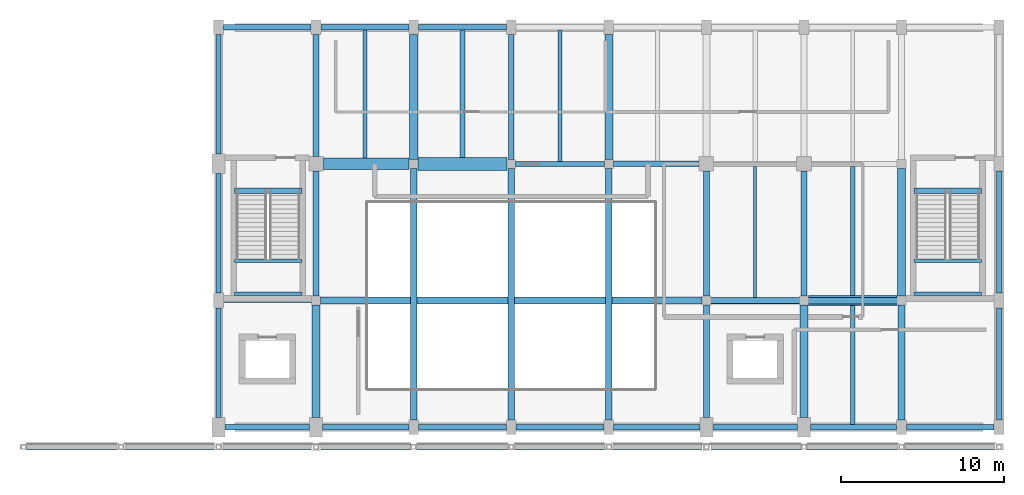
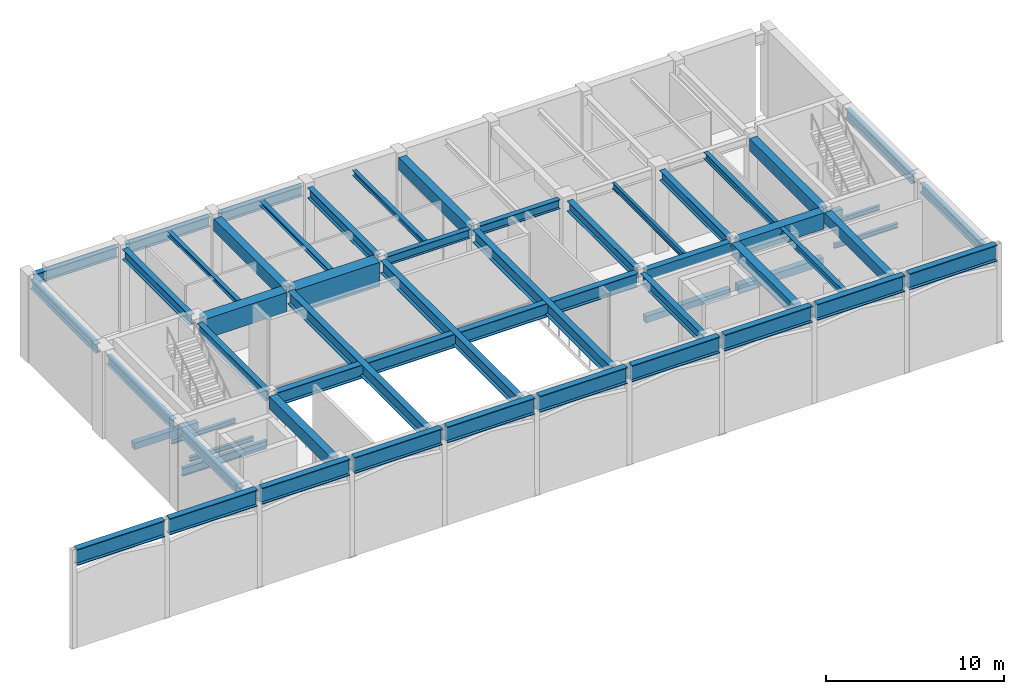
# One storey, part 3 of 8: 63 beams.
"""IFC4 building model written with IfcOpenShell, lengths in metres."""

from ifc_helpers import new_model, si_unit, direction, frame, origin, origin_2d, place, context, subcontext, project, spatial, rectangle, i_section, extrude, material, material_profile, profile_set, type_object, element, save


model = new_model("IFC4")

# Units and contexts
model_context = context("Model", 3, precision=1e-05, world=origin(), true_north=direction((0.0, 1.0)))
body_context = subcontext(model_context, "Body", "Model", "MODEL_VIEW")
ifc_project = project(units=[si_unit("LENGTHUNIT", "METRE"), si_unit("AREAUNIT", "SQUARE_METRE"), si_unit("VOLUMEUNIT", "CUBIC_METRE"), si_unit("PLANEANGLEUNIT", "RADIAN"), si_unit("MASSUNIT", "GRAM", prefix="KILO")], contexts=[model_context])

# Site, building, storey
site_placement = place(None, origin())
site = spatial("IfcSite", under=ifc_project, at=site_placement, CompositionType="ELEMENT")
building_placement = place(site_placement, origin())
building = spatial("IfcBuilding", under=site, at=building_placement, Name="Vaelkrest Opera House", CompositionType="ELEMENT")
storey_placement = place(building_placement, frame((0.0, 0.0, 30.0)))
storey = spatial("IfcBuildingStorey", under=building, at=storey_placement, Name="L06", CompositionType="ELEMENT", Elevation=30.0)

# Beams
ifc_material_1 = material(Name="Concrete C50/60", Category="concrete")
ifc_material_profile_1 = material_profile(ifc_material_1, rectangle(XDim=0.39990234375, YDim=0.64990234375, at=origin_2d()), Name="RCB400X650")
ifc_profile_set_1 = profile_set([ifc_material_profile_1], Name="Concrete C50/60")
beam_type_1 = type_object("IfcBeamType", Name="B01", PredefinedType="BEAM", material=ifc_profile_set_1)
beam_1_placement = place(storey_placement, frame((12.27490234375, 25.199951171875, 5.3798828125), z_axis=(1.0, 0.0, 0.0), x_axis=(0.0, 1.0, 0.0)))
element("IfcBeam", 1, at=beam_1_placement, inside=storey, type_object=beam_type_1, Name="Beam BM-V2-L06-1213", PredefinedType="BEAM", context=body_context, shape_type="SweptSolid", body=[
    extrude(rectangle(XDim=0.39990234375, YDim=0.64990234375, at=origin_2d()), origin(), (0.0, 0.0, 1.0), 5.4501953125),
])
ifc_material_profile_2 = material_profile(ifc_material_1, rectangle(XDim=0.449951171875, YDim=0.75, at=origin_2d()), Name="RCB450X750")
ifc_profile_set_2 = profile_set([ifc_material_profile_2], Name="Concrete C50/60")
beam_type_2 = type_object("IfcBeamType", Name="B02", PredefinedType="BEAM", material=ifc_profile_set_2)
beam_2_placement = place(storey_placement, frame((24.0, 17.85009765625, 5.330078125), z_axis=(0.0, 1.0, 0.0), x_axis=(-1.0, 0.0, 0.0)))
element("IfcBeam", 2, at=beam_2_placement, inside=storey, type_object=beam_type_2, Name="Beam BM-V2-L06-1247", PredefinedType="BEAM", context=body_context, shape_type="SweptSolid", body=[
    extrude(rectangle(XDim=0.449951171875, YDim=0.75, at=origin_2d()), origin(), (0.0, 0.0, 1.0), 7.074951171875),
])
ifc_material_profile_3 = material_profile(ifc_material_1, rectangle(XDim=0.5, YDim=0.85009765625, at=origin_2d()), Name="RCB500X850")
ifc_profile_set_3 = profile_set([ifc_material_profile_3], Name="Concrete C50/60")
beam_type_3 = type_object("IfcBeamType", Name="B03", PredefinedType="BEAM", material=ifc_profile_set_3)
beam_3_placement = place(storey_placement, frame((-12.0, 18.0, 5.280029296875), z_axis=(0.0, 1.0, 0.0), x_axis=(-1.0, 0.0, 0.0)))
element("IfcBeam", 3, at=beam_3_placement, inside=storey, type_object=beam_type_3, Name="Beam BM-V2-L06-1232", PredefinedType="BEAM", context=body_context, shape_type="SweptSolid", body=[
    extrude(rectangle(XDim=0.5, YDim=0.85009765625, at=origin_2d()), origin(), (0.0, 0.0, 1.0), 6.925048828125),
])
for number, where, z_axis, x_axis, name in (
    (4, (-6.0, 33.875, 5.280029296875), (0.0, 1.0, 0.0), (-1.0, 0.0, 0.0), "Beam BM-V2-L06-1236"),
    (5, (6.0, 33.875, 5.280029296875), (0.0, 1.0, 0.0), (-1.0, 0.0, 0.0), "Beam BM-V2-L06-1240"),
):
    element("IfcBeam", number, at=place(storey_placement, frame(where, z_axis=z_axis, x_axis=x_axis)), inside=storey, type_object=beam_type_3, Name=name, PredefinedType="BEAM", context=body_context, shape_type="SweptSolid", body=[
        extrude(rectangle(XDim=0.5, YDim=0.85009765625, at=origin_2d()), origin(), (0.0, 0.0, 1.0), 7.675048828125),
    ])
beam_4_placement = place(storey_placement, frame((18.0, 18.0, 5.280029296875), z_axis=(0.0, 1.0, 0.0), x_axis=(-1.0, 0.0, 0.0)))
element("IfcBeam", 6, at=beam_4_placement, inside=storey, type_object=beam_type_3, Name="Beam BM-V2-L06-1244", PredefinedType="BEAM", context=body_context, shape_type="SweptSolid", body=[
    extrude(rectangle(XDim=0.5, YDim=0.85009765625, at=origin_2d()), origin(), (0.0, 0.0, 1.0), 6.925048828125),
])
beam_5_placement = place(storey_placement, frame((24.0, 25.47509765625, 5.280029296875), z_axis=(0.0, 1.0, 0.0), x_axis=(-1.0, 0.0, 0.0)))
element("IfcBeam", 7, at=beam_5_placement, inside=storey, type_object=beam_type_3, Name="Beam BM-V2-L06-1248", PredefinedType="BEAM", context=body_context, shape_type="SweptSolid", body=[
    extrude(rectangle(XDim=0.5, YDim=0.85009765625, at=origin_2d()), origin(), (0.0, 0.0, 1.0), 7.849853515625),
])
ifc_material_profile_4 = material_profile(ifc_material_1, rectangle(XDim=0.60009765625, YDim=1.10009765625, at=origin_2d()), Name="RCB600X1100")
ifc_profile_set_4 = profile_set([ifc_material_profile_4], Name="Concrete C50/60")
beam_type_4 = type_object("IfcBeamType", Name="B05", PredefinedType="BEAM", material=ifc_profile_set_4)
beam_6_placement = place(storey_placement, frame((18.27490234375, 25.199951171875, 5.155029296875), z_axis=(1.0, 0.0, 0.0), x_axis=(0.0, 1.0, 0.0)))
element("IfcBeam", 8, at=beam_6_placement, inside=storey, type_object=beam_type_4, Name="Beam BM-V2-L06-1214", PredefinedType="BEAM", context=body_context, shape_type="SweptSolid", body=[
    extrude(rectangle(XDim=0.60009765625, YDim=1.10009765625, at=origin_2d()), origin(), (0.0, 0.0, 1.0), 5.4501953125),
])
ifc_material_profile_5 = material_profile(ifc_material_1, rectangle(XDim=0.699951171875, YDim=1.35009765625, at=origin_2d()), Name="RCB700X1350")
ifc_profile_set_5 = profile_set([ifc_material_profile_5], Name="Concrete C50/60")
beam_type_5 = type_object("IfcBeamType", Name="B06", PredefinedType="BEAM", material=ifc_profile_set_5)
beam_7_placement = place(storey_placement, frame((-11.550048828125, 33.60009765625, 5.030029296875), z_axis=(1.0, 0.0, 0.0), x_axis=(0.0, 1.0, 0.0)))
element("IfcBeam", 9, at=beam_7_placement, inside=storey, type_object=beam_type_5, Name="Beam BM-V2-L06-1215", PredefinedType="BEAM", context=body_context, shape_type="SweptSolid", body=[
    extrude(rectangle(XDim=0.699951171875, YDim=1.35009765625, at=origin_2d()), origin(), (0.0, 0.0, 1.0), 5.275146484375),
])
ifc_material_profile_6 = material_profile(ifc_material_1, rectangle(XDim=0.800048828125, YDim=1.64990234375, at=origin_2d()), Name="RCB800X1650")
ifc_profile_set_6 = profile_set([ifc_material_profile_6], Name="Concrete C50/60")
beam_type_6 = type_object("IfcBeamType", Name="B07", PredefinedType="BEAM", material=ifc_profile_set_6)
beam_8_placement = place(storey_placement, frame((-5.72509765625, 33.60009765625, 4.8798828125), z_axis=(1.0, 0.0, 0.0), x_axis=(0.0, 1.0, 0.0)))
element("IfcBeam", 10, at=beam_8_placement, inside=storey, type_object=beam_type_6, Name="Beam BM-V2-L06-1216", PredefinedType="BEAM", context=body_context, shape_type="SweptSolid", body=[
    extrude(rectangle(XDim=0.800048828125, YDim=1.64990234375, at=origin_2d()), origin(), (0.0, 0.0, 1.0), 5.4501953125),
])
ifc_material_2 = material(Name="Steel A992 Gr50", Category="steel")
ifc_material_profile_7 = material_profile(ifc_material_2, i_section(OverallWidth=0.323974609375, OverallDepth=0.611083984375, WebThickness=0.0126953125, FlangeThickness=0.01904296875, at=origin_2d()), Name="W24X104")
ifc_profile_set_7 = profile_set([ifc_material_profile_7], Name="Steel A992 Gr50")
beam_type_7 = type_object("IfcBeamType", Name="B08", PredefinedType="BEAM", material=ifc_profile_set_7)
beam_9_placement = place(storey_placement, frame((0.27490234375, 33.60009765625, 5.3994140625), z_axis=(1.0, 0.0, 0.0), x_axis=(0.0, 1.0, 0.0)))
element("IfcBeam", 11, at=beam_9_placement, inside=storey, type_object=beam_type_7, Name="Beam BM-V2-L06-1217", PredefinedType="BEAM", context=body_context, shape_type="SweptSolid", body=[
    extrude(i_section(OverallWidth=0.323974609375, OverallDepth=0.611083984375, WebThickness=0.0126953125, FlangeThickness=0.01904296875, at=origin_2d()), origin(), (0.0, 0.0, 1.0), 5.4501953125),
])
ifc_material_profile_8 = material_profile(ifc_material_2, i_section(OverallWidth=0.327880859375, OverallDepth=0.6279296875, WebThickness=0.0166015625, FlangeThickness=0.027587890625, at=origin_2d()), Name="W24X146")
ifc_profile_set_8 = profile_set([ifc_material_profile_8], Name="Steel A992 Gr50")
beam_type_8 = type_object("IfcBeamType", Name="B09", PredefinedType="BEAM", material=ifc_profile_set_8)
beam_10_placement = place(storey_placement, frame((6.27490234375, 33.60009765625, 5.39111328125), z_axis=(1.0, 0.0, 0.0), x_axis=(0.0, 1.0, 0.0)))
element("IfcBeam", 12, at=beam_10_placement, inside=storey, type_object=beam_type_8, Name="Beam BM-V2-L06-1218", PredefinedType="BEAM", context=body_context, shape_type="SweptSolid", body=[
    extrude(i_section(OverallWidth=0.327880859375, OverallDepth=0.6279296875, WebThickness=0.0166015625, FlangeThickness=0.027587890625, at=origin_2d()), origin(), (0.0, 0.0, 1.0), 5.275146484375),
])
ifc_material_profile_9 = material_profile(ifc_material_2, i_section(OverallWidth=0.35498046875, OverallDepth=0.695068359375, WebThickness=0.015380859375, FlangeThickness=0.02490234375, at=origin_2d()), Name="W27X146")
ifc_profile_set_9 = profile_set([ifc_material_profile_9], Name="Steel A992 Gr50")
beam_type_9 = type_object("IfcBeamType", Name="B10", PredefinedType="BEAM", material=ifc_profile_set_9)
beam_11_placement = place(storey_placement, frame((-12.0, 25.47509765625, 5.357421875), z_axis=(0.0, 1.0, 0.0), x_axis=(-1.0, 0.0, 0.0)))
element("IfcBeam", 13, at=beam_11_placement, inside=storey, type_object=beam_type_9, Name="Beam BM-V2-L06-1233", PredefinedType="BEAM", context=body_context, shape_type="SweptSolid", body=[
    extrude(i_section(OverallWidth=0.35498046875, OverallDepth=0.695068359375, WebThickness=0.015380859375, FlangeThickness=0.02490234375, at=origin_2d()), origin(), (0.0, 0.0, 1.0), 7.6748046875),
])
beam_12_placement = place(storey_placement, frame((12.0, 18.0, 5.357421875), z_axis=(0.0, 1.0, 0.0), x_axis=(-1.0, 0.0, 0.0)))
element("IfcBeam", 14, at=beam_12_placement, inside=storey, type_object=beam_type_9, Name="Beam BM-V2-L06-1241", PredefinedType="BEAM", context=body_context, shape_type="SweptSolid", body=[
    extrude(i_section(OverallWidth=0.35498046875, OverallDepth=0.695068359375, WebThickness=0.015380859375, FlangeThickness=0.02490234375, at=origin_2d()), origin(), (0.0, 0.0, 1.0), 6.925048828125),
])
beam_13_placement = place(storey_placement, frame((18.0, 25.47509765625, 5.357421875), z_axis=(0.0, 1.0, 0.0), x_axis=(-1.0, 0.0, 0.0)))
element("IfcBeam", 15, at=beam_13_placement, inside=storey, type_object=beam_type_9, Name="Beam BM-V2-L06-1245", PredefinedType="BEAM", context=body_context, shape_type="SweptSolid", body=[
    extrude(i_section(OverallWidth=0.35498046875, OverallDepth=0.695068359375, WebThickness=0.015380859375, FlangeThickness=0.02490234375, at=origin_2d()), origin(), (0.0, 0.0, 1.0), 7.6748046875),
])
ifc_material_profile_10 = material_profile(ifc_material_2, i_section(OverallWidth=0.39892578125, OverallDepth=0.85498046875, WebThickness=0.018310546875, FlangeThickness=0.029296875, at=origin_2d()), Name="W33X201")
ifc_profile_set_10 = profile_set([ifc_material_profile_10], Name="Steel A992 Gr50")
beam_type_10 = type_object("IfcBeamType", Name="B12", PredefinedType="BEAM", material=ifc_profile_set_10)
for number, where, z_axis, x_axis, name in (
    (16, (-6.0, 17.85009765625, 5.277587890625), (0.0, 1.0, 0.0), (-1.0, 0.0, 0.0), "Beam BM-V2-L06-1235"),
    (17, (0.0, 17.85009765625, 5.277587890625), (0.0, 1.0, 0.0), (-1.0, 0.0, 0.0), "Beam BM-V2-L06-1237"),
    (18, (6.0, 17.85009765625, 5.277587890625), (0.0, 1.0, 0.0), (-1.0, 0.0, 0.0), "Beam BM-V2-L06-1239"),
):
    element("IfcBeam", number, at=place(storey_placement, frame(where, z_axis=z_axis, x_axis=x_axis)), inside=storey, type_object=beam_type_10, Name=name, PredefinedType="BEAM", context=body_context, shape_type="SweptSolid", body=[
        extrude(i_section(OverallWidth=0.39892578125, OverallDepth=0.85498046875, WebThickness=0.018310546875, FlangeThickness=0.029296875, at=origin_2d()), origin(), (0.0, 0.0, 1.0), 15.474853515625),
    ])
ifc_material_profile_11 = material_profile(ifc_material_2, i_section(OverallWidth=0.41796875, OverallDepth=0.927001953125, WebThickness=0.019287109375, FlangeThickness=0.031982421875, at=origin_2d()), Name="W36X231")
ifc_profile_set_11 = profile_set([ifc_material_profile_11], Name="Steel A992 Gr50")
beam_type_11 = type_object("IfcBeamType", Name="B13", PredefinedType="BEAM", material=ifc_profile_set_11)
beam_14_placement = place(storey_placement, frame((-11.72509765625, 25.199951171875, 5.241455078125), z_axis=(1.0, 0.0, 0.0), x_axis=(0.0, 1.0, 0.0)))
element("IfcBeam", 19, at=beam_14_placement, inside=storey, type_object=beam_type_11, Name="Beam BM-V2-L06-1212", PredefinedType="BEAM", context=body_context, shape_type="SweptSolid", body=[
    extrude(i_section(OverallWidth=0.41796875, OverallDepth=0.927001953125, WebThickness=0.019287109375, FlangeThickness=0.031982421875, at=origin_2d()), origin(), (0.0, 0.0, 1.0), 23.4501953125),
])
ifc_material_profile_12 = material_profile(ifc_material_2, i_section(OverallWidth=0.35791015625, OverallDepth=0.7060546875, WebThickness=0.018310546875, FlangeThickness=0.0302734375, at=origin_2d()), Name="W27X178")
ifc_profile_set_12 = profile_set([ifc_material_profile_12], Name="Steel A992 Gr50")
beam_type_12 = type_object("IfcBeamType", Name="B14", PredefinedType="BEAM", material=ifc_profile_set_12)
beam_15_placement = place(storey_placement, frame((-12.0, 34.050048828125, 5.35205078125), z_axis=(0.0, 1.0, 0.0), x_axis=(-1.0, 0.0, 0.0)))
element("IfcBeam", 20, at=beam_15_placement, inside=storey, type_object=beam_type_12, Name="Beam BM-V2-L06-1234", PredefinedType="BEAM", context=body_context, shape_type="SweptSolid", body=[
    extrude(i_section(OverallWidth=0.35791015625, OverallDepth=0.7060546875, WebThickness=0.018310546875, FlangeThickness=0.0302734375, at=origin_2d()), origin(), (0.0, 0.0, 1.0), 7.5),
])
beam_16_placement = place(storey_placement, frame((0.0, 33.875, 5.35205078125), z_axis=(0.0, 1.0, 0.0), x_axis=(-1.0, 0.0, 0.0)))
element("IfcBeam", 21, at=beam_16_placement, inside=storey, type_object=beam_type_12, Name="Beam BM-V2-L06-1238", PredefinedType="BEAM", context=body_context, shape_type="SweptSolid", body=[
    extrude(i_section(OverallWidth=0.35791015625, OverallDepth=0.7060546875, WebThickness=0.018310546875, FlangeThickness=0.0302734375, at=origin_2d()), origin(), (0.0, 0.0, 1.0), 7.675048828125),
])
beam_17_placement = place(storey_placement, frame((12.0, 25.47509765625, 5.35205078125), z_axis=(0.0, 1.0, 0.0), x_axis=(-1.0, 0.0, 0.0)))
element("IfcBeam", 22, at=beam_17_placement, inside=storey, type_object=beam_type_12, Name="Beam BM-V2-L06-1242", PredefinedType="BEAM", context=body_context, shape_type="SweptSolid", body=[
    extrude(i_section(OverallWidth=0.35791015625, OverallDepth=0.7060546875, WebThickness=0.018310546875, FlangeThickness=0.0302734375, at=origin_2d()), origin(), (0.0, 0.0, 1.0), 7.6748046875),
])
ifc_material_profile_13 = material_profile(ifc_material_2, i_section(OverallWidth=0.202880859375, OverallDepth=0.302978515625, WebThickness=0.007568359375, FlangeThickness=0.01318359375, at=origin_2d()), Name="W12X40")
ifc_profile_set_13 = profile_set([ifc_material_profile_13], Name="Steel A992 Gr50")
beam_type_13 = type_object("IfcBeamType", Name="J02", PredefinedType="JOIST", material=ifc_profile_set_13)
for number, where, z_axis, x_axis, name in (
    (23, (-17.02001953125, 25.6201171875, 2.6484375), (1.0, 0.0, 0.0), (0.0, 1.0, 0.0), "Stair landing bearer beam ST05 L06-1N"),
    (24, (-17.02001953125, 27.6298828125, 2.6484375), (1.0, 0.0, 0.0), (0.0, 1.0, 0.0), "Stair landing bearer beam ST05 L06-1F"),
):
    element("IfcBeam", number, at=place(storey_placement, frame(where, z_axis=z_axis, x_axis=x_axis)), inside=storey, type_object=beam_type_13, Name=name, PredefinedType="JOIST", context=body_context, shape_type="SweptSolid", body=[
        extrude(i_section(OverallWidth=0.202880859375, OverallDepth=0.302978515625, WebThickness=0.007568359375, FlangeThickness=0.01318359375, at=origin_2d()), origin(), (0.0, 0.0, 1.0), 4.14013671875),
    ])
for number, where, z_axis, x_axis, name in (
    (25, (24.780029296875, 25.6201171875, 2.6484375), (1.0, 0.0, 0.0), (0.0, 1.0, 0.0), "Stair landing bearer beam ST06 L06-1N"),
    (26, (24.780029296875, 27.6298828125, 2.6484375), (1.0, 0.0, 0.0), (0.0, 1.0, 0.0), "Stair landing bearer beam ST06 L06-1F"),
):
    element("IfcBeam", number, at=place(storey_placement, frame(where, z_axis=z_axis, x_axis=x_axis)), inside=storey, type_object=beam_type_13, Name=name, PredefinedType="JOIST", context=body_context, shape_type="SweptSolid", body=[
        extrude(i_section(OverallWidth=0.202880859375, OverallDepth=0.302978515625, WebThickness=0.007568359375, FlangeThickness=0.01318359375, at=origin_2d()), origin(), (0.0, 0.0, 1.0), 4.139892578125),
    ])
ifc_material_profile_14 = material_profile(ifc_material_2, i_section(OverallWidth=0.25390625, OverallDepth=0.305908203125, WebThickness=0.0087890625, FlangeThickness=0.0146484375, at=origin_2d()), Name="W12X53")
ifc_profile_set_14 = profile_set([ifc_material_profile_14], Name="Steel A992 Gr50")
beam_type_14 = type_object("IfcBeamType", Name="J03", PredefinedType="JOIST", material=ifc_profile_set_14)
beam_18_placement = place(storey_placement, frame((-9.0, 33.949951171875, 5.552001953125), z_axis=(0.0, 1.0, 0.0), x_axis=(-1.0, 0.0, 0.0)))
element("IfcBeam", 27, at=beam_18_placement, inside=storey, type_object=beam_type_14, Name="Floor joist JST-V2-L06-1253", PredefinedType="JOIST", context=body_context, shape_type="SweptSolid", body=[
    extrude(i_section(OverallWidth=0.25390625, OverallDepth=0.305908203125, WebThickness=0.0087890625, FlangeThickness=0.0146484375, at=origin_2d()), origin(), (0.0, 0.0, 1.0), 7.87255859375),
])
ifc_material_profile_15 = material_profile(ifc_material_2, i_section(OverallWidth=0.304931640625, OverallDepth=0.30810546875, WebThickness=0.010009765625, FlangeThickness=0.015380859375, at=origin_2d()), Name="W12X65")
ifc_profile_set_15 = profile_set([ifc_material_profile_15], Name="Steel A992 Gr50")
beam_type_15 = type_object("IfcBeamType", Name="J04", PredefinedType="JOIST", material=ifc_profile_set_15)
beam_19_placement = place(storey_placement, frame((-3.0, 34.0, 5.551025390625), z_axis=(0.0, 1.0, 0.0), x_axis=(-1.0, 0.0, 0.0)))
element("IfcBeam", 28, at=beam_19_placement, inside=storey, type_object=beam_type_15, Name="Floor joist JST-V2-L06-1254", PredefinedType="JOIST", context=body_context, shape_type="SweptSolid", body=[
    extrude(i_section(OverallWidth=0.304931640625, OverallDepth=0.30810546875, WebThickness=0.010009765625, FlangeThickness=0.015380859375, at=origin_2d()), origin(), (0.0, 0.0, 1.0), 7.822509765625),
])
ifc_material_profile_16 = material_profile(ifc_material_2, i_section(OverallWidth=0.2548828125, OverallDepth=0.35693359375, WebThickness=0.010498046875, FlangeThickness=0.018310546875, at=origin_2d()), Name="W14X68")
ifc_profile_set_16 = profile_set([ifc_material_profile_16], Name="Steel A992 Gr50")
beam_type_16 = type_object("IfcBeamType", Name="J05", PredefinedType="JOIST", material=ifc_profile_set_16)
beam_20_placement = place(storey_placement, frame((3.0, 33.761962890625, 5.526611328125), z_axis=(0.0, 1.0, 0.0), x_axis=(-1.0, 0.0, 0.0)))
element("IfcBeam", 29, at=beam_20_placement, inside=storey, type_object=beam_type_16, Name="Floor joist JST-V2-L06-1255", PredefinedType="JOIST", context=body_context, shape_type="SweptSolid", body=[
    extrude(i_section(OverallWidth=0.2548828125, OverallDepth=0.35693359375, WebThickness=0.010498046875, FlangeThickness=0.018310546875, at=origin_2d()), origin(), (0.0, 0.0, 1.0), 8.060546875),
])
ifc_material_profile_17 = material_profile(ifc_material_2, i_section(OverallWidth=0.180908203125, OverallDepth=0.4169921875, WebThickness=0.010986328125, FlangeThickness=0.018310546875, at=origin_2d()), Name="W16X57")
ifc_profile_set_17 = profile_set([ifc_material_profile_17], Name="Steel A992 Gr50")
beam_type_17 = type_object("IfcBeamType", Name="J07", PredefinedType="JOIST", material=ifc_profile_set_17)
beam_21_placement = place(storey_placement, frame((15.0, 25.39990234375, 5.49658203125), z_axis=(0.0, 1.0, 0.0), x_axis=(-1.0, 0.0, 0.0)))
element("IfcBeam", 30, at=beam_21_placement, inside=storey, type_object=beam_type_17, Name="Floor joist JST-V2-L06-1257", PredefinedType="JOIST", context=body_context, shape_type="SweptSolid", body=[
    extrude(i_section(OverallWidth=0.180908203125, OverallDepth=0.4169921875, WebThickness=0.010986328125, FlangeThickness=0.018310546875, at=origin_2d()), origin(), (0.0, 0.0, 1.0), 8.03662109375),
])
ifc_material_profile_18 = material_profile(ifc_material_2, i_section(OverallWidth=0.280029296875, OverallDepth=0.462890625, WebThickness=0.0107421875, FlangeThickness=0.017333984375, at=origin_2d()), Name="W18X76")
ifc_profile_set_18 = profile_set([ifc_material_profile_18], Name="Steel A992 Gr50")
beam_type_18 = type_object("IfcBeamType", Name="J09", PredefinedType="JOIST", material=ifc_profile_set_18)
beam_22_placement = place(storey_placement, frame((21.0, 17.577392578125, 5.473388671875), z_axis=(0.0, 1.0, 0.0), x_axis=(-1.0, 0.0, 0.0)))
element("IfcBeam", 31, at=beam_22_placement, inside=storey, type_object=beam_type_18, Name="Floor joist JST-V2-L06-1259", PredefinedType="JOIST", context=body_context, shape_type="SweptSolid", body=[
    extrude(i_section(OverallWidth=0.280029296875, OverallDepth=0.462890625, WebThickness=0.0107421875, FlangeThickness=0.017333984375, at=origin_2d()), origin(), (0.0, 0.0, 1.0), 7.322509765625),
])
ifc_material_profile_19 = material_profile(ifc_material_2, i_section(OverallWidth=0.282958984375, OverallDepth=0.471923828125, WebThickness=0.013671875, FlangeThickness=0.022216796875, at=origin_2d()), Name="W18X97")
ifc_profile_set_19 = profile_set([ifc_material_profile_19], Name="Steel A992 Gr50")
beam_type_19 = type_object("IfcBeamType", Name="J10", PredefinedType="JOIST", material=ifc_profile_set_19)
beam_23_placement = place(storey_placement, frame((21.0, 25.5, 5.468994140625), z_axis=(0.0, 1.0, 0.0), x_axis=(-1.0, 0.0, 0.0)))
element("IfcBeam", 32, at=beam_23_placement, inside=storey, type_object=beam_type_19, Name="Floor joist JST-V2-L06-1260", PredefinedType="JOIST", context=body_context, shape_type="SweptSolid", body=[
    extrude(i_section(OverallWidth=0.282958984375, OverallDepth=0.471923828125, WebThickness=0.013671875, FlangeThickness=0.022216796875, at=origin_2d()), origin(), (0.0, 0.0, 1.0), 7.9423828125),
])
ifc_material_profile_20 = material_profile(ifc_material_1, rectangle(XDim=0.35009765625, YDim=0.449951171875, at=origin_2d()), Name="RCB350X450")
ifc_profile_set_20 = profile_set([ifc_material_profile_20], Name="Concrete C50/60")
beam_type_20 = type_object("IfcBeamType", Name="LN01", PredefinedType="LINTEL", material=ifc_profile_set_20)
beam_24_placement = place(storey_placement, frame((12.25, 25.199951171875, 2.300048828125), z_axis=(1.0, 0.0, 0.0), x_axis=(0.0, 1.0, 0.0)))
element("IfcBeam", 33, at=beam_24_placement, inside=storey, type_object=beam_type_20, Name="Portal lintel L06-1", PredefinedType="LINTEL", context=body_context, shape_type="SweptSolid", body=[
    extrude(rectangle(XDim=0.35009765625, YDim=0.449951171875, at=origin_2d()), origin(), (0.0, 0.0, 1.0), 5.5),
])
beam_25_placement = place(storey_placement, frame((-17.02001953125, 31.949951171875, -0.22509765625), z_axis=(1.0, 0.0, 0.0), x_axis=(0.0, 1.0, 0.0)))
element("IfcBeam", 34, at=beam_25_placement, inside=storey, type_object=beam_type_20, Name="Stairwell trimmer beam ST05 L06", PredefinedType="LINTEL", context=body_context, shape_type="SweptSolid", body=[
    extrude(rectangle(XDim=0.35009765625, YDim=0.449951171875, at=origin_2d()), origin(), (0.0, 0.0, 1.0), 4.14013671875),
])
beam_26_placement = place(storey_placement, frame((24.780029296875, 31.949951171875, -0.22509765625), z_axis=(1.0, 0.0, 0.0), x_axis=(0.0, 1.0, 0.0)))
element("IfcBeam", 35, at=beam_26_placement, inside=storey, type_object=beam_type_20, Name="Stairwell trimmer beam ST06 L06", PredefinedType="LINTEL", context=body_context, shape_type="SweptSolid", body=[
    extrude(rectangle(XDim=0.35009765625, YDim=0.449951171875, at=origin_2d()), origin(), (0.0, 0.0, 1.0), 4.139892578125),
])
ifc_material_profile_21 = material_profile(ifc_material_1, rectangle(XDim=0.39990234375, YDim=0.52001953125, at=origin_2d()), Name="RCB400X520")
ifc_profile_set_21 = profile_set([ifc_material_profile_21], Name="Concrete C50/60")
beam_type_21 = type_object("IfcBeamType", Name="LN02", PredefinedType="LINTEL", material=ifc_profile_set_21)
beam_27_placement = place(storey_placement, frame((18.25, 25.199951171875, 2.300048828125), z_axis=(1.0, 0.0, 0.0), x_axis=(0.0, 1.0, 0.0)))
element("IfcBeam", 36, at=beam_27_placement, inside=storey, type_object=beam_type_21, Name="Portal lintel L06-2", PredefinedType="LINTEL", context=body_context, shape_type="SweptSolid", body=[
    extrude(rectangle(XDim=0.39990234375, YDim=0.52001953125, at=origin_2d()), origin(), (0.0, 0.0, 1.0), 5.5),
])
ifc_material_profile_22 = material_profile(ifc_material_2, i_section(OverallWidth=0.214111328125, OverallDepth=0.549072265625, WebThickness=0.0146484375, FlangeThickness=0.023681640625, at=origin_2d()), Name="W21X93")
ifc_profile_set_22 = profile_set([ifc_material_profile_22], Name="Steel A992 Gr50")
beam_type_22 = type_object("IfcBeamType", Name="LN03", PredefinedType="LINTEL", material=ifc_profile_set_22)
beam_28_placement = place(storey_placement, frame((-17.75, 25.199951171875, 2.300048828125), z_axis=(1.0, 0.0, 0.0), x_axis=(0.0, 1.0, 0.0)))
element("IfcBeam", 37, at=beam_28_placement, inside=storey, type_object=beam_type_22, Name="Portal lintel L06-3", PredefinedType="LINTEL", context=body_context, shape_type="SweptSolid", body=[
    extrude(i_section(OverallWidth=0.214111328125, OverallDepth=0.549072265625, WebThickness=0.0146484375, FlangeThickness=0.023681640625, at=origin_2d()), origin(), (0.0, 0.0, 1.0), 5.5),
])
ifc_material_profile_23 = material_profile(ifc_material_2, i_section(OverallWidth=0.323974609375, OverallDepth=0.611083984375, WebThickness=0.0126953125, FlangeThickness=0.01904296875, at=origin_2d()), Name="W24X104")
ifc_profile_set_23 = profile_set([ifc_material_profile_23], Name="Steel A992 Gr50")
beam_type_23 = type_object("IfcBeamType", Name="SP01", PredefinedType="SPANDREL", material=ifc_profile_set_23)
beam_29_placement = place(storey_placement, frame((-18.0, 18.0, 5.3994140625), z_axis=(0.0, 1.0, 0.0), x_axis=(-1.0, 0.0, 0.0)))
element("IfcBeam", 38, at=beam_29_placement, inside=storey, type_object=beam_type_23, Name="Beam BM-V2-L06-1229", PredefinedType="SPANDREL", context=body_context, shape_type="SweptSolid", body=[
    extrude(i_section(OverallWidth=0.323974609375, OverallDepth=0.611083984375, WebThickness=0.0126953125, FlangeThickness=0.01904296875, at=origin_2d()), origin(), (0.0, 0.0, 1.0), 6.75),
])
for number, where, z_axis, x_axis, name in (
    (39, (-18.0, 25.64990234375, 5.3994140625), (0.0, 1.0, 0.0), (-1.0, 0.0, 0.0), "Beam BM-V2-L06-1230"),
    (40, (-18.0, 34.199951171875, 5.3994140625), (0.0, 1.0, 0.0), (-1.0, 0.0, 0.0), "Beam BM-V2-L06-1231"),
):
    element("IfcBeam", number, at=place(storey_placement, frame(where, z_axis=z_axis, x_axis=x_axis)), inside=storey, type_object=beam_type_23, Name=name, PredefinedType="SPANDREL", context=body_context, shape_type="SweptSolid", body=[
        extrude(i_section(OverallWidth=0.323974609375, OverallDepth=0.611083984375, WebThickness=0.0126953125, FlangeThickness=0.01904296875, at=origin_2d()), origin(), (0.0, 0.0, 1.0), 7.35009765625),
    ])
beam_30_placement = place(storey_placement, frame((30.0, 17.85009765625, 5.3994140625), z_axis=(0.0, 1.0, 0.0), x_axis=(-1.0, 0.0, 0.0)))
element("IfcBeam", 41, at=beam_30_placement, inside=storey, type_object=beam_type_23, Name="Beam BM-V2-L06-1250", PredefinedType="SPANDREL", context=body_context, shape_type="SweptSolid", body=[
    extrude(i_section(OverallWidth=0.323974609375, OverallDepth=0.611083984375, WebThickness=0.0126953125, FlangeThickness=0.01904296875, at=origin_2d()), origin(), (0.0, 0.0, 1.0), 6.89990234375),
])
beam_31_placement = place(storey_placement, frame((30.0, 25.64990234375, 5.3994140625), z_axis=(0.0, 1.0, 0.0), x_axis=(-1.0, 0.0, 0.0)))
element("IfcBeam", 42, at=beam_31_placement, inside=storey, type_object=beam_type_23, Name="Beam BM-V2-L06-1251", PredefinedType="SPANDREL", context=body_context, shape_type="SweptSolid", body=[
    extrude(i_section(OverallWidth=0.323974609375, OverallDepth=0.611083984375, WebThickness=0.0126953125, FlangeThickness=0.01904296875, at=origin_2d()), origin(), (0.0, 0.0, 1.0), 7.5),
])
ifc_material_profile_24 = material_profile(ifc_material_2, i_section(OverallWidth=0.35498046875, OverallDepth=0.695068359375, WebThickness=0.015380859375, FlangeThickness=0.02490234375, at=origin_2d()), Name="W27X146")
ifc_profile_set_24 = profile_set([ifc_material_profile_24], Name="Steel A992 Gr50")
beam_type_24 = type_object("IfcBeamType", Name="SP02", PredefinedType="SPANDREL", material=ifc_profile_set_24)
beam_32_placement = place(storey_placement, frame((-17.60009765625, 17.39990234375, 5.357421875), z_axis=(1.0, 0.0, 0.0), x_axis=(0.0, 1.0, 0.0)))
element("IfcBeam", 43, at=beam_32_placement, inside=storey, type_object=beam_type_24, Name="Beam BM-V2-L06-1204", PredefinedType="SPANDREL", context=body_context, shape_type="SweptSolid", body=[
    extrude(i_section(OverallWidth=0.35498046875, OverallDepth=0.695068359375, WebThickness=0.015380859375, FlangeThickness=0.02490234375, at=origin_2d()), origin(), (0.0, 0.0, 1.0), 5.2001953125),
])
beam_33_placement = place(storey_placement, frame((-11.60009765625, 17.39990234375, 5.357421875), z_axis=(1.0, 0.0, 0.0), x_axis=(0.0, 1.0, 0.0)))
element("IfcBeam", 44, at=beam_33_placement, inside=storey, type_object=beam_type_24, Name="Beam BM-V2-L06-1205", PredefinedType="SPANDREL", context=body_context, shape_type="SweptSolid", body=[
    extrude(i_section(OverallWidth=0.35498046875, OverallDepth=0.695068359375, WebThickness=0.015380859375, FlangeThickness=0.02490234375, at=origin_2d()), origin(), (0.0, 0.0, 1.0), 5.300048828125),
])
for number, where, z_axis, x_axis, name in (
    (45, (-5.699951171875, 17.39990234375, 5.357421875), (1.0, 0.0, 0.0), (0.0, 1.0, 0.0), "Beam BM-V2-L06-1206"),
    (46, (0.300048828125, 17.39990234375, 5.357421875), (1.0, 0.0, 0.0), (0.0, 1.0, 0.0), "Beam BM-V2-L06-1207"),
):
    element("IfcBeam", number, at=place(storey_placement, frame(where, z_axis=z_axis, x_axis=x_axis)), inside=storey, type_object=beam_type_24, Name=name, PredefinedType="SPANDREL", context=body_context, shape_type="SweptSolid", body=[
        extrude(i_section(OverallWidth=0.35498046875, OverallDepth=0.695068359375, WebThickness=0.015380859375, FlangeThickness=0.02490234375, at=origin_2d()), origin(), (0.0, 0.0, 1.0), 5.39990234375),
    ])
beam_34_placement = place(storey_placement, frame((6.300048828125, 17.39990234375, 5.357421875), z_axis=(1.0, 0.0, 0.0), x_axis=(0.0, 1.0, 0.0)))
element("IfcBeam", 47, at=beam_34_placement, inside=storey, type_object=beam_type_24, Name="Beam BM-V2-L06-1208", PredefinedType="SPANDREL", context=body_context, shape_type="SweptSolid", body=[
    extrude(i_section(OverallWidth=0.35498046875, OverallDepth=0.695068359375, WebThickness=0.015380859375, FlangeThickness=0.02490234375, at=origin_2d()), origin(), (0.0, 0.0, 1.0), 5.300048828125),
])
beam_35_placement = place(storey_placement, frame((12.39990234375, 17.39990234375, 5.357421875), z_axis=(1.0, 0.0, 0.0), x_axis=(0.0, 1.0, 0.0)))
element("IfcBeam", 48, at=beam_35_placement, inside=storey, type_object=beam_type_24, Name="Beam BM-V2-L06-1209", PredefinedType="SPANDREL", context=body_context, shape_type="SweptSolid", body=[
    extrude(i_section(OverallWidth=0.35498046875, OverallDepth=0.695068359375, WebThickness=0.015380859375, FlangeThickness=0.02490234375, at=origin_2d()), origin(), (0.0, 0.0, 1.0), 5.2001953125),
])
beam_36_placement = place(storey_placement, frame((18.39990234375, 17.39990234375, 5.357421875), z_axis=(1.0, 0.0, 0.0), x_axis=(0.0, 1.0, 0.0)))
element("IfcBeam", 49, at=beam_36_placement, inside=storey, type_object=beam_type_24, Name="Beam BM-V2-L06-1210", PredefinedType="SPANDREL", context=body_context, shape_type="SweptSolid", body=[
    extrude(i_section(OverallWidth=0.35498046875, OverallDepth=0.695068359375, WebThickness=0.015380859375, FlangeThickness=0.02490234375, at=origin_2d()), origin(), (0.0, 0.0, 1.0), 5.300048828125),
])
for number, where, z_axis, x_axis, name in (
    (50, (24.300048828125, 17.39990234375, 5.357421875), (1.0, 0.0, 0.0), (0.0, 1.0, 0.0), "Beam BM-V2-L06-1211"),
    (51, (-17.699951171875, 42.0, 5.357421875), (1.0, 0.0, 0.0), (0.0, 1.0, 0.0), "Beam BM-V2-L06-1221"),
    (52, (-11.699951171875, 42.0, 5.357421875), (1.0, 0.0, 0.0), (0.0, 1.0, 0.0), "Beam BM-V2-L06-1222"),
    (53, (-5.699951171875, 42.0, 5.357421875), (1.0, 0.0, 0.0), (0.0, 1.0, 0.0), "Beam BM-V2-L06-1223"),
):
    element("IfcBeam", number, at=place(storey_placement, frame(where, z_axis=z_axis, x_axis=x_axis)), inside=storey, type_object=beam_type_24, Name=name, PredefinedType="SPANDREL", context=body_context, shape_type="SweptSolid", body=[
        extrude(i_section(OverallWidth=0.35498046875, OverallDepth=0.695068359375, WebThickness=0.015380859375, FlangeThickness=0.02490234375, at=origin_2d()), origin(), (0.0, 0.0, 1.0), 5.39990234375),
    ])
ifc_material_profile_25 = material_profile(ifc_material_2, i_section(OverallWidth=0.405029296875, OverallDepth=1.117919921875, WebThickness=0.02587890625, FlangeThickness=0.044921875, at=origin_2d()), Name="W44X335")
ifc_profile_set_25 = profile_set([ifc_material_profile_25], Name="Steel A992 Gr50")
beam_type_25 = type_object("IfcBeamType", Name="SP05", PredefinedType="SPANDREL", material=ifc_profile_set_25)
for number, where, z_axis, x_axis, name in (
    (54, (-29.840087890625, 16.199951171875, 6.215087890625), (1.0, 0.0, 0.0), (0.0, 1.0, 0.0), "Roof transfer ring girder V1-N-01"),
    (55, (-23.840087890625, 16.199951171875, 6.215087890625), (1.0, 0.0, 0.0), (0.0, 1.0, 0.0), "Roof transfer ring girder V1-N-02"),
    (56, (-17.840087890625, 16.199951171875, 6.215087890625), (1.0, 0.0, 0.0), (0.0, 1.0, 0.0), "Roof transfer ring girder V1-N-03"),
    (57, (-11.840087890625, 16.199951171875, 6.215087890625), (1.0, 0.0, 0.0), (0.0, 1.0, 0.0), "Roof transfer ring girder V1-N-04"),
    (58, (-5.840087890625, 16.199951171875, 6.215087890625), (1.0, 0.0, 0.0), (0.0, 1.0, 0.0), "Roof transfer ring girder V1-N-05"),
    (59, (0.159912109375, 16.199951171875, 6.215087890625), (1.0, 0.0, 0.0), (0.0, 1.0, 0.0), "Roof transfer ring girder V1-N-06"),
    (60, (6.159912109375, 16.199951171875, 6.215087890625), (1.0, 0.0, 0.0), (0.0, 1.0, 0.0), "Roof transfer ring girder V1-N-07"),
    (61, (12.159912109375, 16.199951171875, 6.215087890625), (1.0, 0.0, 0.0), (0.0, 1.0, 0.0), "Roof transfer ring girder V1-N-08"),
    (62, (18.159912109375, 16.199951171875, 6.215087890625), (1.0, 0.0, 0.0), (0.0, 1.0, 0.0), "Roof transfer ring girder V1-N-09"),
    (63, (24.159912109375, 16.199951171875, 6.215087890625), (1.0, 0.0, 0.0), (0.0, 1.0, 0.0), "Roof transfer ring girder V1-N-10"),
):
    element("IfcBeam", number, at=place(storey_placement, frame(where, z_axis=z_axis, x_axis=x_axis)), inside=storey, type_object=beam_type_25, Name=name, PredefinedType="SPANDREL", context=body_context, shape_type="SweptSolid", body=[
        extrude(i_section(OverallWidth=0.405029296875, OverallDepth=1.117919921875, WebThickness=0.02587890625, FlangeThickness=0.044921875, at=origin_2d()), origin(), (0.0, 0.0, 1.0), 5.68017578125),
    ])

save(model, "model.ifc")
